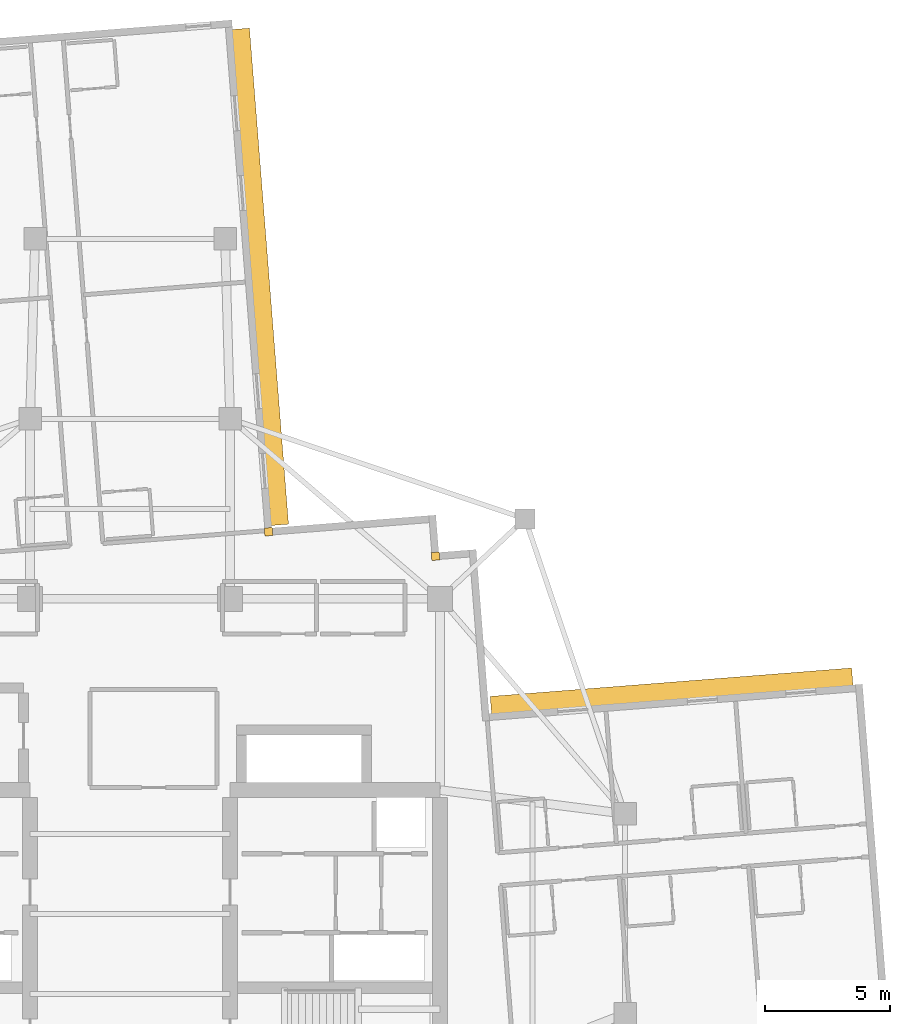
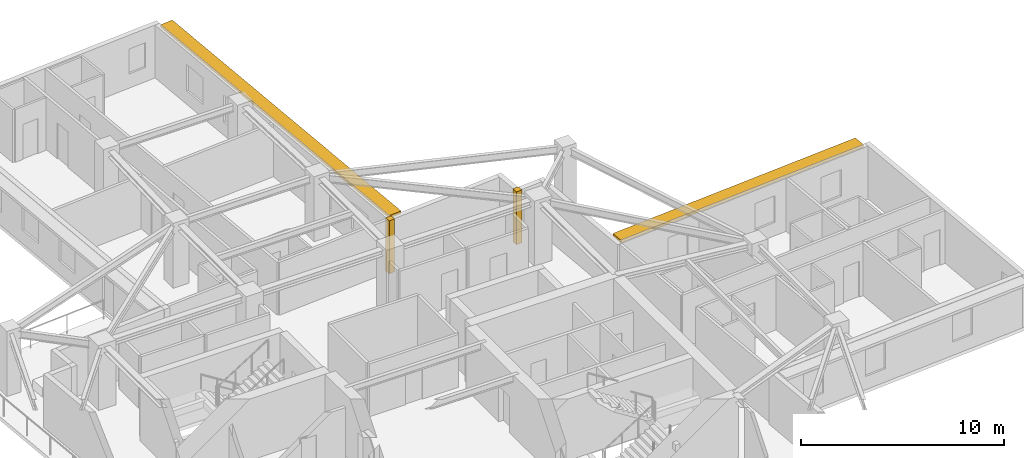
# One storey, part 13 of 13: 2 coverings, 2 shading devices.
"""IFC4 building model written with IfcOpenShell, lengths in metres."""

import ifcopenshell
import ifcopenshell.guid

model = None  # the IFC model being written
_history = None  # IfcOwnerHistory: only IFC2X3 demands one
_inside = {}  # id of a spatial element -> (the spatial element, [elements in it])
_under = {}  # id of a project, library or spatial element -> (it, [spatial elements below it])
_declared = {}  # id of a project -> (the project, [libraries it declares])
_typed = {}  # id of a type object -> (the type object, [elements of that type])
_made_of = {}  # id of a material, layer set ... -> (it, [elements and type objects made of it])


def new_model(schema):
    """Start an empty IFC model of exactly this schema.

    Asked for "IFC4X3", IfcOpenShell would pick the latest addendum, in which some entities
    have other attributes; the version numbers below select the first issue.
    IFC2X3 requires an IfcOwnerHistory on every rooted entity: one is made here for all.
    """
    global model, _history
    if schema == "IFC4X3":
        model = ifcopenshell.file(schema_version=(4, 3, 0, 0))
    else:
        model = ifcopenshell.file(schema=schema)
    _inside.clear()
    _under.clear()
    _declared.clear()
    _typed.clear()
    _made_of.clear()
    _history = None
    if model.schema == "IFC2X3":
        org = make("IfcOrganization", Name="unknown")
        user = make(
            "IfcPersonAndOrganization",
            ThePerson=make("IfcPerson", FamilyName="unknown"),
            TheOrganization=org,
        )
        app = make(
            "IfcApplication",
            ApplicationDeveloper=org,
            Version="unknown",
            ApplicationFullName="unknown",
            ApplicationIdentifier="unknown",
        )
        _history = make(
            "IfcOwnerHistory",
            OwningUser=user,
            OwningApplication=app,
            ChangeAction="ADDED",
            CreationDate=0,
        )
    return model


def make(cls, **values):
    """One entity of the class cls with the attributes given. An attribute that is None is left unset."""
    return model.create_entity(
        cls, **{name: value for name, value in values.items() if value is not None}
    )


def rooted(cls, **values):
    """An entity with a GlobalId (a new one), such as an element, a storey or a relation."""
    return make(cls, GlobalId=ifcopenshell.guid.new(), OwnerHistory=_history, **values)


def si_unit(unit_type, name, prefix=None):
    """IfcSIUnit, for example si_unit("LENGTHUNIT", "METRE", prefix="MILLI")."""
    return make("IfcSIUnit", UnitType=unit_type, Prefix=prefix, Name=name)


def assignment(units):
    """IfcUnitAssignment: the units of a project."""
    return None if units is None else make("IfcUnitAssignment", Units=units)


def point(xyz):
    """IfcCartesianPoint."""
    return None if xyz is None else make("IfcCartesianPoint", Coordinates=xyz)


def direction(xyz):
    """IfcDirection."""
    return None if xyz is None else make("IfcDirection", DirectionRatios=xyz)


def frame(location, z_axis=None, x_axis=None):
    """IfcAxis2Placement3D, a coordinate frame: its origin and axes. An axis left out is left unset."""
    return make(
        "IfcAxis2Placement3D",
        Location=point(location),
        Axis=direction(z_axis),
        RefDirection=direction(x_axis),
    )


def frame_2d(location, x_axis=None):
    """IfcAxis2Placement2D, a coordinate frame in the plane: its origin and x axis."""
    return make(
        "IfcAxis2Placement2D", Location=point(location), RefDirection=direction(x_axis)
    )


def origin():
    """The frame at (0, 0, 0) with its axes left unset."""
    return frame((0.0, 0.0, 0.0))


def origin_2d():
    """The frame at (0, 0) in the plane with its x axis left unset."""
    return frame_2d((0.0, 0.0))


def place(relative_to, where):
    """IfcLocalPlacement: puts the frame where relative to a parent placement (None: the world)."""
    return make(
        "IfcLocalPlacement", PlacementRelTo=relative_to, RelativePlacement=where
    )


def context(
    kind, dimensions, precision=None, world=None, true_north=None, identifier=None
):
    """IfcGeometricRepresentationContext, for example the 3D "Model" context."""
    return make(
        "IfcGeometricRepresentationContext",
        ContextIdentifier=identifier,
        ContextType=kind,
        CoordinateSpaceDimension=dimensions,
        Precision=precision,
        WorldCoordinateSystem=world,
        TrueNorth=true_north,
    )


def subcontext(parent, identifier, kind, view, scale=None):
    """IfcGeometricRepresentationSubContext, for example "Body" below "Model"."""
    return make(
        "IfcGeometricRepresentationSubContext",
        ContextIdentifier=identifier,
        ContextType=kind,
        ParentContext=parent,
        TargetScale=scale,
        TargetView=view,
    )


def project(units=None, contexts=None):
    """IfcProject with its units and contexts."""
    return rooted(
        "IfcProject",
        Name="project",
        RepresentationContexts=contexts,
        UnitsInContext=assignment(units),
    )


def spatial(cls, under=None, at=None, **own):
    """A site, building, storey or space (cls), placed at a placement, below another one or the project."""
    s = rooted(cls, ObjectPlacement=at, **own)
    if under is not None:
        _under.setdefault(under.id(), (under, []))[1].append(s)
    return s


def profile(cls, at=None, kind="AREA", **sizes):
    """A parametric profile (cls). Its sizes go by their IFC names, for example OverallWidth=200.0."""
    return make(cls, ProfileType=kind, Position=at, **sizes)


def rectangle(**sizes):
    """IfcRectangleProfileDef."""
    return profile("IfcRectangleProfileDef", **sizes)


def extrude(swept, where, along, depth):
    """IfcExtrudedAreaSolid: the profile swept, set in the frame where, extruded along a direction by depth."""
    return make(
        "IfcExtrudedAreaSolid",
        SweptArea=swept,
        Position=where,
        ExtrudedDirection=direction(along),
        Depth=depth,
    )


def shape(context_of_items, identifier, shape_type, items):
    """IfcShapeRepresentation: the items that make up one representation, for example the "Body"."""
    return make(
        "IfcShapeRepresentation",
        ContextOfItems=context_of_items,
        RepresentationIdentifier=identifier,
        RepresentationType=shape_type,
        Items=items,
    )


def material(Name=None, Category=None):
    """IfcMaterial."""
    return make("IfcMaterial", Name=Name, Category=Category)


def layer(
    of_material, thickness, ventilated=None, Name=None, Category=None, Priority=None
):
    """IfcMaterialLayer: one layer of a wall or slab, of a material (None: an air gap)."""
    return make(
        "IfcMaterialLayer",
        Material=of_material,
        LayerThickness=thickness,
        IsVentilated=ventilated,
        Name=Name,
        Category=Category,
        Priority=Priority,
    )


def layer_set(layers, Name=None):
    """IfcMaterialLayerSet."""
    return make("IfcMaterialLayerSet", MaterialLayers=layers, LayerSetName=Name)


def made_of(thing, what):
    """Note that an element or type object is made of a material, layer set ...; save() writes the relation."""
    if what is not None:
        _made_of.setdefault(what.id(), (what, []))[1].append(thing)
    return thing


def type_object(cls, material=None, **own):
    """A type object (cls), such as IfcWallType, which elements share."""
    return made_of(rooted(cls, **own), material)


def element(
    cls,
    number,
    at=None,
    inside=None,
    cuts=None,
    type_object=None,
    material=None,
    context=None,
    identifier="Body",
    shape_type=None,
    held_by="IfcProductDefinitionShape",
    body=None,
    shapes=None,
    **own,
):
    """One element of the class cls, such as IfcWall. Its Tag is "e" and its number.

    at: its placement. inside: the storey or other place that contains it. cuts: it is an
    opening in that element (IfcRelVoidsElement). A single representation is given by context,
    identifier, shape_type and body (its items); several are given by shapes. held_by: the class
    of the entity that holds the representations. save() writes the other relations.
    """
    e = rooted(cls, Tag="e%d" % number, ObjectPlacement=at, **own)
    if body is not None:
        shapes = [shape(context, identifier, shape_type, body)]
    if shapes is not None:
        e.Representation = make(held_by, Representations=shapes)
    if inside is not None:
        _inside.setdefault(inside.id(), (inside, []))[1].append(e)
    if cuts is not None:
        rooted(
            "IfcRelVoidsElement", RelatingBuildingElement=cuts, RelatedOpeningElement=e
        )
    if type_object is not None:
        _typed.setdefault(type_object.id(), (type_object, []))[1].append(e)
    return made_of(e, material)


def aggregate(whole, parts):
    """IfcRelAggregates: a whole, such as a stair, and the parts it consists of."""
    return rooted("IfcRelAggregates", RelatingObject=whole, RelatedObjects=parts)


def save(model, path):
    """Write the relations noted so far, then the file.

    IfcRelAggregates (storeys below a building ...), IfcRelContainedInSpatialStructure (elements
    in a storey), IfcRelDefinesByType, IfcRelAssociatesMaterial and IfcRelDeclares: one each for
    every whole, place, type object, material and project.
    """
    for whole, parts in _under.values():
        aggregate(whole, parts)
    for where, things in _inside.values():
        rooted(
            "IfcRelContainedInSpatialStructure",
            RelatedElements=things,
            RelatingStructure=where,
        )
    for kind, things in _typed.values():
        rooted("IfcRelDefinesByType", RelatedObjects=things, RelatingType=kind)
    for what, things in _made_of.values():
        rooted("IfcRelAssociatesMaterial", RelatedObjects=things, RelatingMaterial=what)
    for by, libraries in _declared.values():
        rooted("IfcRelDeclares", RelatingContext=by, RelatedDefinitions=libraries)
    model.write(path)


model = new_model("IFC4")

# Units and contexts
model_context = context("Model", 3, precision=1e-05, world=origin(), true_north=direction((0.0, 1.0)))
body_context = subcontext(model_context, "Body", "Model", "MODEL_VIEW")
ifc_project = project(units=[si_unit("LENGTHUNIT", "METRE"), si_unit("AREAUNIT", "SQUARE_METRE"), si_unit("VOLUMEUNIT", "CUBIC_METRE"), si_unit("PLANEANGLEUNIT", "RADIAN"), si_unit("MASSUNIT", "GRAM", prefix="KILO")], contexts=[model_context])

# Site, building, storey
site_placement = place(None, origin())
site = spatial("IfcSite", under=ifc_project, at=site_placement, CompositionType="ELEMENT")
building_placement = place(site_placement, origin())
building = spatial("IfcBuilding", under=site, at=building_placement, Name="Qingluan Cross Belvedere", CompositionType="ELEMENT")
storey_placement = place(building_placement, frame((0.0, 0.0, 205.199951171875)))
storey = spatial("IfcBuildingStorey", under=building, at=storey_placement, Name="L51", CompositionType="ELEMENT", Elevation=205.199951171875)

# Coverings
ifc_material_1 = material(Name="Precast concrete C45", Category="concrete")
ifc_layer_1 = layer(ifc_material_1, 0.1201171875, Name="ConcreteSpandrelCladding_120")
ifc_layer_set_1 = layer_set([ifc_layer_1], Name="Precast concrete C45")
covering_type = type_object("IfcCoveringType", Name="ConcreteSpandrelCladding_120", PredefinedType="CLADDING", material=ifc_layer_set_1)
for number, where, z_axis, x_axis, name in (
    (1, (12.215576171875, 14.302490234375, 0.0), (0.0, 0.0, 1.0), (0.996917333733, 0.078459095728, 0.0), "Corner closure L51-NE1"),
    (2, (5.5380859375, 15.281494140625, 0.0), (0.0, 0.0, 1.0), (0.996917333733, 0.078459095728, 0.0), "Corner closure L51-NE2"),
):
    element("IfcCovering", number, at=place(storey_placement, frame(where, z_axis=z_axis, x_axis=x_axis)), inside=storey, type_object=covering_type, Name=name, PredefinedType="CLADDING", context=body_context, shape_type="SweptSolid", body=[
        extrude(rectangle(XDim=0.320068359375, YDim=0.320068359375, at=origin_2d()), origin(), (0.0, 0.0, 1.0), 3.179931640625),
    ])

# Shading devices
ifc_material_2 = material(Name="Precast concrete C45", Category="concrete")
ifc_layer_2 = layer(ifc_material_2, 0.139892578125, Name="ConcreteSunshadeBand_700")
ifc_layer_set_2 = layer_set([ifc_layer_2], Name="Precast concrete C45")
shading_device_type = type_object("IfcShadingDeviceType", Name="ConcreteSunshadeBand_700", PredefinedType="USERDEFINED", material=ifc_layer_set_2)
shading_device_1_placement = place(storey_placement, frame((21.6572265625, 8.916748046875, 3.0), z_axis=(0.0, 0.0, 1.0), x_axis=(-0.996917599256, -0.078455721862, 0.0)))
element("IfcShadingDevice", 3, at=shading_device_1_placement, inside=storey, type_object=shading_device_type, Name="Concrete SUNSHADE L51-EB", ObjectType="SUNSHADE", PredefinedType="USERDEFINED", context=body_context, shape_type="SweptSolid", body=[
    extrude(rectangle(XDim=14.5, YDim=0.699951171875, at=origin_2d()), origin(), (0.0, 0.0, 1.0), 0.159912109375),
])
shading_device_2_placement = place(storey_placement, frame((5.207275390625, 25.47705078125, 3.0), z_axis=(0.0, 0.0, 1.0), x_axis=(-0.078457869429, 0.996917430244, 0.0)))
element("IfcShadingDevice", 4, at=shading_device_2_placement, inside=storey, type_object=shading_device_type, Name="Concrete SUNSHADE L51-NA", ObjectType="SUNSHADE", PredefinedType="USERDEFINED", context=body_context, shape_type="SweptSolid", body=[
    extrude(rectangle(XDim=19.89990234375, YDim=0.699951171875, at=origin_2d()), origin(), (0.0, 0.0, 1.0), 0.159912109375),
])

save(model, "model.ifc")
